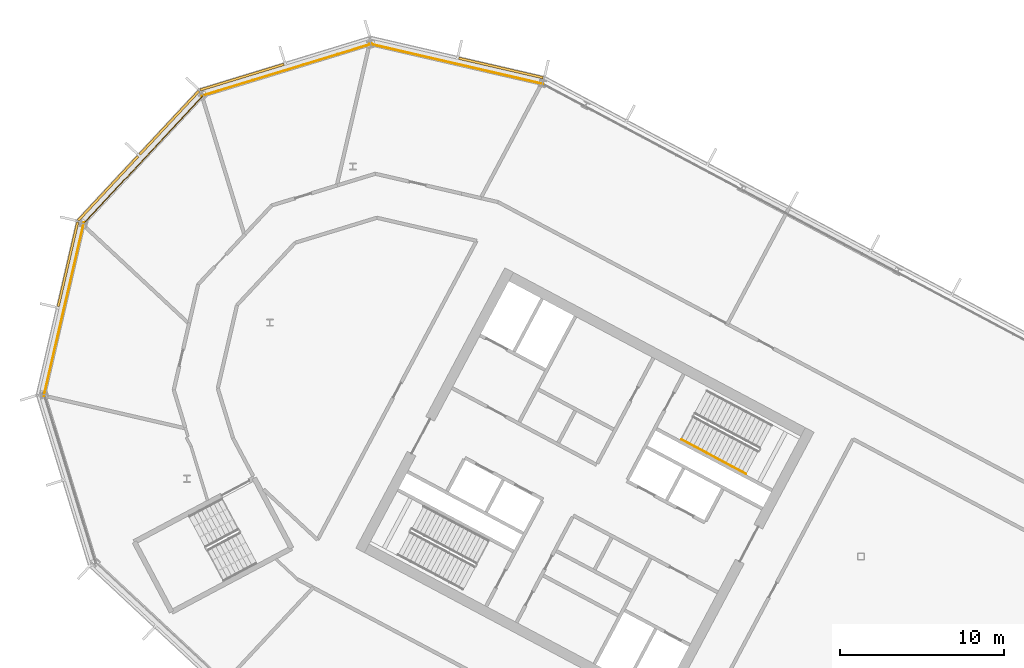
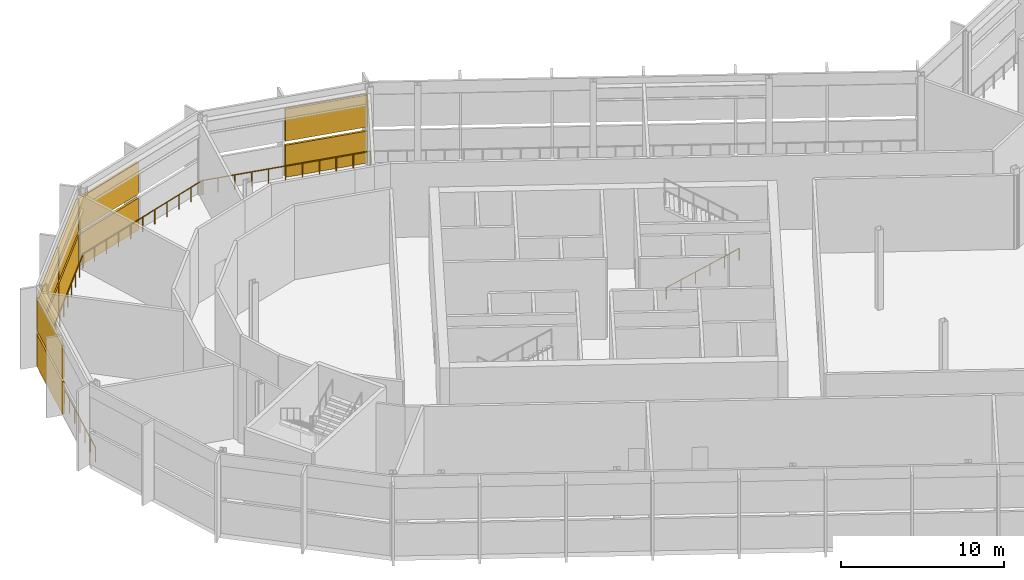
# One storey, part 26 of 33: 10 shading devices, 5 railings, 4 elements without a shape of their own.
"""IFC4 building model written with IfcOpenShell, lengths in metres."""

from ifc_helpers import new_model, si_unit, direction, frame, origin, origin_2d, place, context, subcontext, project, spatial, polyline, rectangle, outline, extrude, material, layer, layer_set, type_object, element, aggregate, save


model = new_model("IFC4")

# Units and contexts
model_context = context("Model", 3, precision=1e-05, world=origin(), true_north=direction((0.0, 1.0)))
body_context = subcontext(model_context, "Body", "Model", "MODEL_VIEW")
ifc_project = project(units=[si_unit("LENGTHUNIT", "METRE"), si_unit("AREAUNIT", "SQUARE_METRE"), si_unit("VOLUMEUNIT", "CUBIC_METRE"), si_unit("PLANEANGLEUNIT", "RADIAN"), si_unit("MASSUNIT", "GRAM", prefix="KILO")], contexts=[model_context])

# Site, building, storey
site_placement = place(None, origin())
site = spatial("IfcSite", under=ifc_project, at=site_placement, CompositionType="ELEMENT")
building_placement = place(site_placement, origin())
building = spatial("IfcBuilding", under=site, at=building_placement, Name="Cormorant Relay Tower", CompositionType="ELEMENT")
storey_placement = place(building_placement, frame((0.0, 0.0, 252.0)))
storey = spatial("IfcBuildingStorey", under=building, at=storey_placement, Name="L56", CompositionType="ELEMENT", Elevation=252.0)

# Railings
ifc_material_1 = material(Name="Stainless steel 316 guard", Category="steel")
railing_type_1 = type_object("IfcRailingType", Name="Band louvre guard 1100", PredefinedType="GUARDRAIL", material=ifc_material_1)
railing_1_placement = place(storey_placement, frame((-29.941162109375, 39.375732421875, 0.0)))
element("IfcRailing", 1, at=railing_1_placement, inside=storey, type_object=railing_type_1, Name="CW4 guard 10", PredefinedType="GUARDRAIL", context=body_context, shape_type="SweptSolid", body=[
    extrude(outline(polyline([(0.022216796875, 0.00927734375), (0.00927734375, 0.022216796875), (-0.00927734375, 0.022216796875), (-0.022216796875, 0.00927734375), (-0.022216796875, -0.00927734375), (-0.00927734375, -0.022216796875), (0.00927734375, -0.022216796875), (0.022216796875, -0.00927734375), (0.022216796875, 0.00927734375)])), frame((0.0, 0.0, 1.076171875), z_axis=(-0.974369993916, 0.22495136131, 0.0), x_axis=(-0.22495136131, -0.974369993916, 0.0)), (0.0, 0.0, 1.0), 10.870361328125),
    extrude(outline(polyline([(0.019287109375, 0.008056640625), (0.008056640625, 0.019287109375), (-0.008056640625, 0.019287109375), (-0.019287109375, 0.008056640625), (-0.019287109375, -0.008056640625), (-0.008056640625, -0.019287109375), (0.008056640625, -0.019287109375), (0.019287109375, -0.008056640625), (0.019287109375, 0.008056640625)])), origin(), (0.0, 0.0, 1.0), 1.052001953125),
    extrude(outline(polyline([(0.019287109375, 0.008056640625), (0.008056640625, 0.019287109375), (-0.008056640625, 0.019287109375), (-0.019287109375, 0.008056640625), (-0.019287109375, -0.008056640625), (-0.008056640625, -0.019287109375), (0.008056640625, -0.019287109375), (0.019287109375, -0.008056640625), (0.019287109375, 0.008056640625)])), frame((-1.05908203125, 0.24462890625, 0.0)), (0.0, 0.0, 1.0), 1.052001953125),
    extrude(outline(polyline([(0.019287109375, 0.008056640625), (0.008056640625, 0.019287109375), (-0.008056640625, 0.019287109375), (-0.019287109375, 0.008056640625), (-0.019287109375, -0.008056640625), (-0.008056640625, -0.019287109375), (0.008056640625, -0.019287109375), (0.019287109375, -0.008056640625), (0.019287109375, 0.008056640625)])), frame((-2.118408203125, 0.489013671875, 0.0)), (0.0, 0.0, 1.0), 1.052001953125),
    extrude(outline(polyline([(0.019287109375, 0.008056640625), (0.008056640625, 0.019287109375), (-0.008056640625, 0.019287109375), (-0.019287109375, 0.008056640625), (-0.019287109375, -0.008056640625), (-0.008056640625, -0.019287109375), (0.008056640625, -0.019287109375), (0.019287109375, -0.008056640625), (0.019287109375, 0.008056640625)])), frame((-3.177490234375, 0.733642578125, 0.0)), (0.0, 0.0, 1.0), 1.052001953125),
    extrude(outline(polyline([(0.019287109375, 0.008056640625), (0.008056640625, 0.019287109375), (-0.008056640625, 0.019287109375), (-0.019287109375, 0.008056640625), (-0.019287109375, -0.008056640625), (-0.008056640625, -0.019287109375), (0.008056640625, -0.019287109375), (0.019287109375, -0.008056640625), (0.019287109375, 0.008056640625)])), frame((-4.23681640625, 0.97802734375, 0.0)), (0.0, 0.0, 1.0), 1.052001953125),
    extrude(outline(polyline([(0.019287109375, 0.008056640625), (0.008056640625, 0.019287109375), (-0.008056640625, 0.019287109375), (-0.019287109375, 0.008056640625), (-0.019287109375, -0.008056640625), (-0.008056640625, -0.019287109375), (0.008056640625, -0.019287109375), (0.019287109375, -0.008056640625), (0.019287109375, 0.008056640625)])), frame((-5.2958984375, 1.22265625, 0.0)), (0.0, 0.0, 1.0), 1.052001953125),
    extrude(outline(polyline([(0.019287109375, 0.008056640625), (0.008056640625, 0.019287109375), (-0.008056640625, 0.019287109375), (-0.019287109375, 0.008056640625), (-0.019287109375, -0.008056640625), (-0.008056640625, -0.019287109375), (0.008056640625, -0.019287109375), (0.019287109375, -0.008056640625), (0.019287109375, 0.008056640625)])), frame((-6.35498046875, 1.46728515625, 0.0)), (0.0, 0.0, 1.0), 1.052001953125),
    extrude(outline(polyline([(0.019287109375, 0.008056640625), (0.008056640625, 0.019287109375), (-0.008056640625, 0.019287109375), (-0.019287109375, 0.008056640625), (-0.019287109375, -0.008056640625), (-0.008056640625, -0.019287109375), (0.008056640625, -0.019287109375), (0.019287109375, -0.008056640625), (0.019287109375, 0.008056640625)])), frame((-7.414306640625, 1.711669921875, 0.0)), (0.0, 0.0, 1.0), 1.052001953125),
    extrude(outline(polyline([(0.019287109375, 0.008056640625), (0.008056640625, 0.019287109375), (-0.008056640625, 0.019287109375), (-0.019287109375, 0.008056640625), (-0.019287109375, -0.008056640625), (-0.008056640625, -0.019287109375), (0.008056640625, -0.019287109375), (0.019287109375, -0.008056640625), (0.019287109375, 0.008056640625)])), frame((-8.473388671875, 1.956298828125, 0.0)), (0.0, 0.0, 1.0), 1.052001953125),
    extrude(outline(polyline([(0.019287109375, 0.008056640625), (0.008056640625, 0.019287109375), (-0.008056640625, 0.019287109375), (-0.019287109375, 0.008056640625), (-0.019287109375, -0.008056640625), (-0.008056640625, -0.019287109375), (0.008056640625, -0.019287109375), (0.019287109375, -0.008056640625), (0.019287109375, 0.008056640625)])), frame((-9.53271484375, 2.20068359375, 0.0)), (0.0, 0.0, 1.0), 1.052001953125),
    extrude(outline(polyline([(0.019287109375, 0.008056640625), (0.008056640625, 0.019287109375), (-0.008056640625, 0.019287109375), (-0.019287109375, 0.008056640625), (-0.019287109375, -0.008056640625), (-0.008056640625, -0.019287109375), (0.008056640625, -0.019287109375), (0.019287109375, -0.008056640625), (0.019287109375, 0.008056640625)])), frame((-10.591796875, 2.4453125, 0.0)), (0.0, 0.0, 1.0), 1.052001953125),
])
railing_2_placement = place(storey_placement, frame((-40.377685546875, 41.826416015625, 0.0)))
element("IfcRailing", 2, at=railing_2_placement, inside=storey, type_object=railing_type_1, Name="CW4 guard 11", PredefinedType="GUARDRAIL", context=body_context, shape_type="SweptSolid", body=[
    extrude(outline(polyline([(0.022216796875, 0.00927734375), (0.00927734375, 0.022216796875), (-0.00927734375, 0.022216796875), (-0.022216796875, 0.00927734375), (-0.022216796875, -0.00927734375), (-0.00927734375, -0.022216796875), (0.00927734375, -0.022216796875), (0.022216796875, -0.00927734375), (0.022216796875, 0.00927734375)])), frame((0.0, 0.0, 1.076171875), z_axis=(-0.956304833932, -0.292371449698, 0.0), x_axis=(0.292371449698, -0.956304833932, 0.0)), (0.0, 0.0, 1.0), 10.87060546875),
    extrude(outline(polyline([(0.019287109375, 0.008056640625), (0.008056640625, 0.019287109375), (-0.008056640625, 0.019287109375), (-0.019287109375, 0.008056640625), (-0.019287109375, -0.008056640625), (-0.008056640625, -0.019287109375), (0.008056640625, -0.019287109375), (0.019287109375, -0.008056640625), (0.019287109375, 0.008056640625)])), origin(), (0.0, 0.0, 1.0), 1.052001953125),
    extrude(outline(polyline([(0.019287109375, 0.008056640625), (0.008056640625, 0.019287109375), (-0.008056640625, 0.019287109375), (-0.019287109375, 0.008056640625), (-0.019287109375, -0.008056640625), (-0.008056640625, -0.019287109375), (0.008056640625, -0.019287109375), (0.019287109375, -0.008056640625), (0.019287109375, 0.008056640625)])), frame((-1.03955078125, -0.31787109375, 0.0)), (0.0, 0.0, 1.0), 1.052001953125),
    extrude(outline(polyline([(0.019287109375, 0.008056640625), (0.008056640625, 0.019287109375), (-0.008056640625, 0.019287109375), (-0.019287109375, 0.008056640625), (-0.019287109375, -0.008056640625), (-0.008056640625, -0.019287109375), (0.008056640625, -0.019287109375), (0.019287109375, -0.008056640625), (0.019287109375, 0.008056640625)])), frame((-2.0791015625, -0.6357421875, 0.0)), (0.0, 0.0, 1.0), 1.052001953125),
    extrude(outline(polyline([(0.019287109375, 0.008056640625), (0.008056640625, 0.019287109375), (-0.008056640625, 0.019287109375), (-0.019287109375, 0.008056640625), (-0.019287109375, -0.008056640625), (-0.008056640625, -0.019287109375), (0.008056640625, -0.019287109375), (0.019287109375, -0.008056640625), (0.019287109375, 0.008056640625)])), frame((-3.11865234375, -0.953369140625, 0.0)), (0.0, 0.0, 1.0), 1.052001953125),
    extrude(outline(polyline([(0.019287109375, 0.008056640625), (0.008056640625, 0.019287109375), (-0.008056640625, 0.019287109375), (-0.019287109375, 0.008056640625), (-0.019287109375, -0.008056640625), (-0.008056640625, -0.019287109375), (0.008056640625, -0.019287109375), (0.019287109375, -0.008056640625), (0.019287109375, 0.008056640625)])), frame((-4.158203125, -1.271240234375, 0.0)), (0.0, 0.0, 1.0), 1.052001953125),
    extrude(outline(polyline([(0.019287109375, 0.008056640625), (0.008056640625, 0.019287109375), (-0.008056640625, 0.019287109375), (-0.019287109375, 0.008056640625), (-0.019287109375, -0.008056640625), (-0.008056640625, -0.019287109375), (0.008056640625, -0.019287109375), (0.019287109375, -0.008056640625), (0.019287109375, 0.008056640625)])), frame((-5.19775390625, -1.589111328125, 0.0)), (0.0, 0.0, 1.0), 1.052001953125),
    extrude(outline(polyline([(0.019287109375, 0.008056640625), (0.008056640625, 0.019287109375), (-0.008056640625, 0.019287109375), (-0.019287109375, 0.008056640625), (-0.019287109375, -0.008056640625), (-0.008056640625, -0.019287109375), (0.008056640625, -0.019287109375), (0.019287109375, -0.008056640625), (0.019287109375, 0.008056640625)])), frame((-6.2373046875, -1.906982421875, 0.0)), (0.0, 0.0, 1.0), 1.052001953125),
    extrude(outline(polyline([(0.019287109375, 0.008056640625), (0.008056640625, 0.019287109375), (-0.008056640625, 0.019287109375), (-0.019287109375, 0.008056640625), (-0.019287109375, -0.008056640625), (-0.008056640625, -0.019287109375), (0.008056640625, -0.019287109375), (0.019287109375, -0.008056640625), (0.019287109375, 0.008056640625)])), frame((-7.27685546875, -2.224853515625, 0.0)), (0.0, 0.0, 1.0), 1.052001953125),
    extrude(outline(polyline([(0.019287109375, 0.008056640625), (0.008056640625, 0.019287109375), (-0.008056640625, 0.019287109375), (-0.019287109375, 0.008056640625), (-0.019287109375, -0.008056640625), (-0.008056640625, -0.019287109375), (0.008056640625, -0.019287109375), (0.019287109375, -0.008056640625), (0.019287109375, 0.008056640625)])), frame((-8.31640625, -2.54248046875, 0.0)), (0.0, 0.0, 1.0), 1.052001953125),
    extrude(outline(polyline([(0.019287109375, 0.008056640625), (0.008056640625, 0.019287109375), (-0.008056640625, 0.019287109375), (-0.019287109375, 0.008056640625), (-0.019287109375, -0.008056640625), (-0.008056640625, -0.019287109375), (0.008056640625, -0.019287109375), (0.019287109375, -0.008056640625), (0.019287109375, 0.008056640625)])), frame((-9.35595703125, -2.8603515625, 0.0)), (0.0, 0.0, 1.0), 1.052001953125),
    extrude(outline(polyline([(0.019287109375, 0.008056640625), (0.008056640625, 0.019287109375), (-0.008056640625, 0.019287109375), (-0.019287109375, 0.008056640625), (-0.019287109375, -0.008056640625), (-0.008056640625, -0.019287109375), (0.008056640625, -0.019287109375), (0.019287109375, -0.008056640625), (0.019287109375, 0.008056640625)])), frame((-10.3955078125, -3.17822265625, 0.0)), (0.0, 0.0, 1.0), 1.052001953125),
])
railing_3_placement = place(storey_placement, frame((-50.6416015625, 38.730712890625, 0.0)))
element("IfcRailing", 3, at=railing_3_placement, inside=storey, type_object=railing_type_1, Name="CW4 guard 12", PredefinedType="GUARDRAIL", context=body_context, shape_type="SweptSolid", body=[
    extrude(outline(polyline([(0.022216796875, 0.00927734375), (0.00927734375, 0.022216796875), (-0.00927734375, 0.022216796875), (-0.022216796875, 0.00927734375), (-0.022216796875, -0.00927734375), (-0.00927734375, -0.022216796875), (0.00927734375, -0.022216796875), (0.022216796875, -0.00927734375), (0.022216796875, 0.00927734375)])), frame((0.0, 0.0, 1.076171875), z_axis=(-0.681993299437, -0.731358420696, 0.0), x_axis=(0.731358420696, -0.681993299437, 0.0)), (0.0, 0.0, 1.0), 10.870361328125),
    extrude(outline(polyline([(0.019287109375, 0.008056640625), (0.008056640625, 0.019287109375), (-0.008056640625, 0.019287109375), (-0.019287109375, 0.008056640625), (-0.019287109375, -0.008056640625), (-0.008056640625, -0.019287109375), (0.008056640625, -0.019287109375), (0.019287109375, -0.008056640625), (0.019287109375, 0.008056640625)])), origin(), (0.0, 0.0, 1.0), 1.052001953125),
    extrude(outline(polyline([(0.019287109375, 0.008056640625), (0.008056640625, 0.019287109375), (-0.008056640625, 0.019287109375), (-0.019287109375, 0.008056640625), (-0.019287109375, -0.008056640625), (-0.008056640625, -0.019287109375), (0.008056640625, -0.019287109375), (0.019287109375, -0.008056640625), (0.019287109375, 0.008056640625)])), frame((-0.741455078125, -0.794921875, 0.0)), (0.0, 0.0, 1.0), 1.052001953125),
    extrude(outline(polyline([(0.019287109375, 0.008056640625), (0.008056640625, 0.019287109375), (-0.008056640625, 0.019287109375), (-0.019287109375, 0.008056640625), (-0.019287109375, -0.008056640625), (-0.008056640625, -0.019287109375), (0.008056640625, -0.019287109375), (0.019287109375, -0.008056640625), (0.019287109375, 0.008056640625)])), frame((-1.482666015625, -1.590087890625, 0.0)), (0.0, 0.0, 1.0), 1.052001953125),
    extrude(outline(polyline([(0.019287109375, 0.008056640625), (0.008056640625, 0.019287109375), (-0.008056640625, 0.019287109375), (-0.019287109375, 0.008056640625), (-0.019287109375, -0.008056640625), (-0.008056640625, -0.019287109375), (0.008056640625, -0.019287109375), (0.019287109375, -0.008056640625), (0.019287109375, 0.008056640625)])), frame((-2.22412109375, -2.385009765625, 0.0)), (0.0, 0.0, 1.0), 1.052001953125),
    extrude(outline(polyline([(0.019287109375, 0.008056640625), (0.008056640625, 0.019287109375), (-0.008056640625, 0.019287109375), (-0.019287109375, 0.008056640625), (-0.019287109375, -0.008056640625), (-0.008056640625, -0.019287109375), (0.008056640625, -0.019287109375), (0.019287109375, -0.008056640625), (0.019287109375, 0.008056640625)])), frame((-2.96533203125, -3.18017578125, 0.0)), (0.0, 0.0, 1.0), 1.052001953125),
    extrude(outline(polyline([(0.019287109375, 0.008056640625), (0.008056640625, 0.019287109375), (-0.008056640625, 0.019287109375), (-0.019287109375, 0.008056640625), (-0.019287109375, -0.008056640625), (-0.008056640625, -0.019287109375), (0.008056640625, -0.019287109375), (0.019287109375, -0.008056640625), (0.019287109375, 0.008056640625)])), frame((-3.706787109375, -3.97509765625, 0.0)), (0.0, 0.0, 1.0), 1.052001953125),
    extrude(outline(polyline([(0.019287109375, 0.008056640625), (0.008056640625, 0.019287109375), (-0.008056640625, 0.019287109375), (-0.019287109375, 0.008056640625), (-0.019287109375, -0.008056640625), (-0.008056640625, -0.019287109375), (0.008056640625, -0.019287109375), (0.019287109375, -0.008056640625), (0.019287109375, 0.008056640625)])), frame((-4.4482421875, -4.77001953125, 0.0)), (0.0, 0.0, 1.0), 1.052001953125),
    extrude(outline(polyline([(0.019287109375, 0.008056640625), (0.008056640625, 0.019287109375), (-0.008056640625, 0.019287109375), (-0.019287109375, 0.008056640625), (-0.019287109375, -0.008056640625), (-0.008056640625, -0.019287109375), (0.008056640625, -0.019287109375), (0.019287109375, -0.008056640625), (0.019287109375, 0.008056640625)])), frame((-5.189453125, -5.565185546875, 0.0)), (0.0, 0.0, 1.0), 1.052001953125),
    extrude(outline(polyline([(0.019287109375, 0.008056640625), (0.008056640625, 0.019287109375), (-0.008056640625, 0.019287109375), (-0.019287109375, 0.008056640625), (-0.019287109375, -0.008056640625), (-0.008056640625, -0.019287109375), (0.008056640625, -0.019287109375), (0.019287109375, -0.008056640625), (0.019287109375, 0.008056640625)])), frame((-5.930908203125, -6.360107421875, 0.0)), (0.0, 0.0, 1.0), 1.052001953125),
    extrude(outline(polyline([(0.019287109375, 0.008056640625), (0.008056640625, 0.019287109375), (-0.008056640625, 0.019287109375), (-0.019287109375, 0.008056640625), (-0.019287109375, -0.008056640625), (-0.008056640625, -0.019287109375), (0.008056640625, -0.019287109375), (0.019287109375, -0.008056640625), (0.019287109375, 0.008056640625)])), frame((-6.672119140625, -7.1552734375, 0.0)), (0.0, 0.0, 1.0), 1.052001953125),
    extrude(outline(polyline([(0.019287109375, 0.008056640625), (0.008056640625, 0.019287109375), (-0.008056640625, 0.019287109375), (-0.019287109375, 0.008056640625), (-0.019287109375, -0.008056640625), (-0.008056640625, -0.019287109375), (0.008056640625, -0.019287109375), (0.019287109375, -0.008056640625), (0.019287109375, 0.008056640625)])), frame((-7.41357421875, -7.9501953125, 0.0)), (0.0, 0.0, 1.0), 1.052001953125),
])
railing_4_placement = place(storey_placement, frame((-57.982177734375, 30.91748046875, 0.0)))
element("IfcRailing", 4, at=railing_4_placement, inside=storey, type_object=railing_type_1, Name="CW4 guard 13", PredefinedType="GUARDRAIL", context=body_context, shape_type="SweptSolid", body=[
    extrude(outline(polyline([(0.022216796875, 0.00927734375), (0.00927734375, 0.022216796875), (-0.00927734375, 0.022216796875), (-0.022216796875, 0.00927734375), (-0.022216796875, -0.00927734375), (-0.00927734375, -0.022216796875), (0.00927734375, -0.022216796875), (0.022216796875, -0.00927734375), (0.022216796875, 0.00927734375)])), frame((0.0, 0.0, 1.076171875), z_axis=(-0.22495136131, -0.974369993916, 0.0), x_axis=(0.974369993916, -0.22495136131, 0.0)), (0.0, 0.0, 1.0), 10.870361328125),
    extrude(outline(polyline([(0.019287109375, 0.008056640625), (0.008056640625, 0.019287109375), (-0.008056640625, 0.019287109375), (-0.019287109375, 0.008056640625), (-0.019287109375, -0.008056640625), (-0.008056640625, -0.019287109375), (0.008056640625, -0.019287109375), (0.019287109375, -0.008056640625), (0.019287109375, 0.008056640625)])), origin(), (0.0, 0.0, 1.0), 1.052001953125),
    extrude(outline(polyline([(0.019287109375, 0.008056640625), (0.008056640625, 0.019287109375), (-0.008056640625, 0.019287109375), (-0.019287109375, 0.008056640625), (-0.019287109375, -0.008056640625), (-0.008056640625, -0.019287109375), (0.008056640625, -0.019287109375), (0.019287109375, -0.008056640625), (0.019287109375, 0.008056640625)])), frame((-0.24462890625, -1.05908203125, 0.0)), (0.0, 0.0, 1.0), 1.052001953125),
    extrude(outline(polyline([(0.019287109375, 0.008056640625), (0.008056640625, 0.019287109375), (-0.008056640625, 0.019287109375), (-0.019287109375, 0.008056640625), (-0.019287109375, -0.008056640625), (-0.008056640625, -0.019287109375), (0.008056640625, -0.019287109375), (0.019287109375, -0.008056640625), (0.019287109375, 0.008056640625)])), frame((-0.489013671875, -2.118408203125, 0.0)), (0.0, 0.0, 1.0), 1.052001953125),
    extrude(outline(polyline([(0.019287109375, 0.008056640625), (0.008056640625, 0.019287109375), (-0.008056640625, 0.019287109375), (-0.019287109375, 0.008056640625), (-0.019287109375, -0.008056640625), (-0.008056640625, -0.019287109375), (0.008056640625, -0.019287109375), (0.019287109375, -0.008056640625), (0.019287109375, 0.008056640625)])), frame((-0.733642578125, -3.177490234375, 0.0)), (0.0, 0.0, 1.0), 1.052001953125),
    extrude(outline(polyline([(0.019287109375, 0.008056640625), (0.008056640625, 0.019287109375), (-0.008056640625, 0.019287109375), (-0.019287109375, 0.008056640625), (-0.019287109375, -0.008056640625), (-0.008056640625, -0.019287109375), (0.008056640625, -0.019287109375), (0.019287109375, -0.008056640625), (0.019287109375, 0.008056640625)])), frame((-0.97802734375, -4.23681640625, 0.0)), (0.0, 0.0, 1.0), 1.052001953125),
    extrude(outline(polyline([(0.019287109375, 0.008056640625), (0.008056640625, 0.019287109375), (-0.008056640625, 0.019287109375), (-0.019287109375, 0.008056640625), (-0.019287109375, -0.008056640625), (-0.008056640625, -0.019287109375), (0.008056640625, -0.019287109375), (0.019287109375, -0.008056640625), (0.019287109375, 0.008056640625)])), frame((-1.22265625, -5.2958984375, 0.0)), (0.0, 0.0, 1.0), 1.052001953125),
    extrude(outline(polyline([(0.019287109375, 0.008056640625), (0.008056640625, 0.019287109375), (-0.008056640625, 0.019287109375), (-0.019287109375, 0.008056640625), (-0.019287109375, -0.008056640625), (-0.008056640625, -0.019287109375), (0.008056640625, -0.019287109375), (0.019287109375, -0.008056640625), (0.019287109375, 0.008056640625)])), frame((-1.46728515625, -6.35498046875, 0.0)), (0.0, 0.0, 1.0), 1.052001953125),
    extrude(outline(polyline([(0.019287109375, 0.008056640625), (0.008056640625, 0.019287109375), (-0.008056640625, 0.019287109375), (-0.019287109375, 0.008056640625), (-0.019287109375, -0.008056640625), (-0.008056640625, -0.019287109375), (0.008056640625, -0.019287109375), (0.019287109375, -0.008056640625), (0.019287109375, 0.008056640625)])), frame((-1.711669921875, -7.414306640625, 0.0)), (0.0, 0.0, 1.0), 1.052001953125),
    extrude(outline(polyline([(0.019287109375, 0.008056640625), (0.008056640625, 0.019287109375), (-0.008056640625, 0.019287109375), (-0.019287109375, 0.008056640625), (-0.019287109375, -0.008056640625), (-0.008056640625, -0.019287109375), (0.008056640625, -0.019287109375), (0.019287109375, -0.008056640625), (0.019287109375, 0.008056640625)])), frame((-1.956298828125, -8.473388671875, 0.0)), (0.0, 0.0, 1.0), 1.052001953125),
    extrude(outline(polyline([(0.019287109375, 0.008056640625), (0.008056640625, 0.019287109375), (-0.008056640625, 0.019287109375), (-0.019287109375, 0.008056640625), (-0.019287109375, -0.008056640625), (-0.008056640625, -0.019287109375), (0.008056640625, -0.019287109375), (0.019287109375, -0.008056640625), (0.019287109375, 0.008056640625)])), frame((-2.20068359375, -9.53271484375, 0.0)), (0.0, 0.0, 1.0), 1.052001953125),
    extrude(outline(polyline([(0.019287109375, 0.008056640625), (0.008056640625, 0.019287109375), (-0.008056640625, 0.019287109375), (-0.019287109375, 0.008056640625), (-0.019287109375, -0.008056640625), (-0.008056640625, -0.019287109375), (0.008056640625, -0.019287109375), (0.019287109375, -0.008056640625), (0.019287109375, 0.008056640625)])), frame((-2.4453125, -10.591796875, 0.0)), (0.0, 0.0, 1.0), 1.052001953125),
])

# Curtain wall, shading devices
ifc_material_2 = material(Name="Aluminium 6063-T6 anodised bronze", Category="aluminium")
ifc_layer = layer(ifc_material_2, 0.199951171875)
ifc_layer_set = layer_set([ifc_layer], Name="CW4 band louvre wall")
curtain_wall_type = type_object("IfcCurtainWallType", Name="CW4 band louvre wall", PredefinedType="NOTDEFINED", material=ifc_layer_set)
curtain_wall_1_placement = place(storey_placement, origin())
curtain_wall_1 = element("IfcCurtainWall", 5, at=curtain_wall_1_placement, inside=storey, type_object=curtain_wall_type, Name="CW4 curtain wall 10", PredefinedType="NOTDEFINED")
ifc_material_3 = material(Name="Aluminium 6063-T6 anodised bronze louvre", Category="aluminium")
shading_device_type = type_object("IfcShadingDeviceType", Name="CW4 bronze louvre bank 150 x 2400", PredefinedType="USERDEFINED", material=ifc_material_3)
shading_device_1_placement = place(storey_placement, frame((-32.5048828125, 40.3525390625, 2.699951171875), z_axis=(0.0, 0.0, 1.0), x_axis=(-0.974370064785, 0.224951054344, 0.0)))
shading_device_1 = element("IfcShadingDevice", 6, at=shading_device_1_placement, type_object=shading_device_type, Name="CW4 louvre bank U10.1", ObjectType="LOUVRE", PredefinedType="USERDEFINED", context=body_context, shape_type="SweptSolid", body=[
    extrude(rectangle(XDim=5.28515625, YDim=0.14990234375, at=origin_2d()), origin(), (0.0, 0.0, 1.0), 2.39990234375),
])
shading_device_2_placement = place(storey_placement, frame((-32.5048828125, 40.3525390625, 0.0), z_axis=(0.0, 0.0, 1.0), x_axis=(-0.974370064785, 0.224951054344, 0.0)))
shading_device_2 = element("IfcShadingDevice", 7, at=shading_device_2_placement, type_object=shading_device_type, Name="CW4 louvre bank D10.1", ObjectType="LOUVRE", PredefinedType="USERDEFINED", context=body_context, shape_type="SweptSolid", body=[
    extrude(rectangle(XDim=5.28515625, YDim=0.14990234375, at=origin_2d()), origin(), (0.0, 0.0, 1.0), 2.39990234375),
])
aggregate(curtain_wall_1, [shading_device_1, shading_device_2])

curtain_wall_2_placement = place(storey_placement, origin())
curtain_wall_2 = element("IfcCurtainWall", 8, at=curtain_wall_2_placement, inside=storey, type_object=curtain_wall_type, Name="CW4 curtain wall 11", PredefinedType="NOTDEFINED")
shading_device_3_placement = place(storey_placement, frame((-48.31982421875, 39.79052734375, 2.699951171875), z_axis=(0.0, 0.0, 1.0), x_axis=(-0.956304755963, -0.292371704723, 0.0)))
shading_device_3 = element("IfcShadingDevice", 9, at=shading_device_3_placement, type_object=shading_device_type, Name="CW4 louvre bank U11.2", ObjectType="LOUVRE", PredefinedType="USERDEFINED", context=body_context, shape_type="SweptSolid", body=[
    extrude(rectangle(XDim=5.360107421875, YDim=0.14990234375, at=origin_2d()), origin(), (0.0, 0.0, 1.0), 2.39990234375),
])
shading_device_4_placement = place(storey_placement, frame((-48.31982421875, 39.79052734375, 0.0), z_axis=(0.0, 0.0, 1.0), x_axis=(-0.956304755963, -0.292371704723, 0.0)))
shading_device_4 = element("IfcShadingDevice", 10, at=shading_device_4_placement, type_object=shading_device_type, Name="CW4 louvre bank D11.2", ObjectType="LOUVRE", PredefinedType="USERDEFINED", context=body_context, shape_type="SweptSolid", body=[
    extrude(rectangle(XDim=5.360107421875, YDim=0.14990234375, at=origin_2d()), origin(), (0.0, 0.0, 1.0), 2.39990234375),
])
aggregate(curtain_wall_2, [shading_device_3, shading_device_4])

curtain_wall_3_placement = place(storey_placement, origin())
curtain_wall_3 = element("IfcCurtainWall", 11, at=curtain_wall_3_placement, inside=storey, type_object=curtain_wall_type, Name="CW4 curtain wall 12", PredefinedType="NOTDEFINED")
shading_device_5_placement = place(storey_placement, frame((-52.769287109375, 36.998779296875, 2.699951171875), z_axis=(0.0, 0.0, 1.0), x_axis=(-0.681998360062, -0.731353701619, 0.0)))
shading_device_5 = element("IfcShadingDevice", 12, at=shading_device_5_placement, type_object=shading_device_type, Name="CW4 louvre bank U12.1", ObjectType="LOUVRE", PredefinedType="USERDEFINED", context=body_context, shape_type="SweptSolid", body=[
    extrude(rectangle(XDim=5.28515625, YDim=0.14990234375, at=origin_2d()), origin(), (0.0, 0.0, 1.0), 2.39990234375),
])
shading_device_6_placement = place(storey_placement, frame((-52.769287109375, 36.998779296875, 0.0), z_axis=(0.0, 0.0, 1.0), x_axis=(-0.681998360062, -0.731353701619, 0.0)))
shading_device_6 = element("IfcShadingDevice", 13, at=shading_device_6_placement, type_object=shading_device_type, Name="CW4 louvre bank D12.1", ObjectType="LOUVRE", PredefinedType="USERDEFINED", context=body_context, shape_type="SweptSolid", body=[
    extrude(rectangle(XDim=5.28515625, YDim=0.14990234375, at=origin_2d()), origin(), (0.0, 0.0, 1.0), 2.39990234375),
])
shading_device_7_placement = place(storey_placement, frame((-56.501708984375, 32.996337890625, 2.699951171875), z_axis=(0.0, 0.0, 1.0), x_axis=(-0.681998360062, -0.731353701619, 0.0)))
shading_device_7 = element("IfcShadingDevice", 14, at=shading_device_7_placement, type_object=shading_device_type, Name="CW4 louvre bank U12.2", ObjectType="LOUVRE", PredefinedType="USERDEFINED", context=body_context, shape_type="SweptSolid", body=[
    extrude(rectangle(XDim=5.360107421875, YDim=0.14990234375, at=origin_2d()), origin(), (0.0, 0.0, 1.0), 2.39990234375),
])
shading_device_8_placement = place(storey_placement, frame((-56.501708984375, 32.996337890625, 0.0), z_axis=(0.0, 0.0, 1.0), x_axis=(-0.681998360062, -0.731353701619, 0.0)))
shading_device_8 = element("IfcShadingDevice", 15, at=shading_device_8_placement, type_object=shading_device_type, Name="CW4 louvre bank D12.2", ObjectType="LOUVRE", PredefinedType="USERDEFINED", context=body_context, shape_type="SweptSolid", body=[
    extrude(rectangle(XDim=5.360107421875, YDim=0.14990234375, at=origin_2d()), origin(), (0.0, 0.0, 1.0), 2.39990234375),
])
aggregate(curtain_wall_3, [shading_device_5, shading_device_6, shading_device_7, shading_device_8])

curtain_wall_4_placement = place(storey_placement, origin())
curtain_wall_4 = element("IfcCurtainWall", 16, at=curtain_wall_4_placement, inside=storey, type_object=curtain_wall_type, Name="CW4 curtain wall 13", PredefinedType="NOTDEFINED")
shading_device_9_placement = place(storey_placement, frame((-58.958984375, 28.35400390625, 2.699951171875), z_axis=(0.0, 0.0, 1.0), x_axis=(-0.224951054344, -0.974370064785, 0.0)))
shading_device_9 = element("IfcShadingDevice", 17, at=shading_device_9_placement, type_object=shading_device_type, Name="CW4 louvre bank U13.1", ObjectType="LOUVRE", PredefinedType="USERDEFINED", context=body_context, shape_type="SweptSolid", body=[
    extrude(rectangle(XDim=5.28515625, YDim=0.14990234375, at=origin_2d()), origin(), (0.0, 0.0, 1.0), 2.39990234375),
])
shading_device_10_placement = place(storey_placement, frame((-58.958984375, 28.35400390625, 0.0), z_axis=(0.0, 0.0, 1.0), x_axis=(-0.224951054344, -0.974370064785, 0.0)))
shading_device_10 = element("IfcShadingDevice", 18, at=shading_device_10_placement, type_object=shading_device_type, Name="CW4 louvre bank D13.1", ObjectType="LOUVRE", PredefinedType="USERDEFINED", context=body_context, shape_type="SweptSolid", body=[
    extrude(rectangle(XDim=5.28515625, YDim=0.14990234375, at=origin_2d()), origin(), (0.0, 0.0, 1.0), 2.39990234375),
])
aggregate(curtain_wall_4, [shading_device_9, shading_device_10])

# Railing
ifc_material_4 = material(Name="Steel ASTM A572 Grade 50 (Fy 345 MPa)", Category="steel")
railing_type_2 = type_object("IfcRailingType", Name="Stair handrail 900", PredefinedType="HANDRAIL", material=ifc_material_4)
railing_5_placement = place(storey_placement, frame((-21.478271484375, 17.6494140625, 0.176513671875)))
element("IfcRailing", 19, at=railing_5_placement, inside=storey, type_object=railing_type_2, Name="L56 A1 stair handrail 1", PredefinedType="HANDRAIL", context=body_context, shape_type="SweptSolid", body=[
    extrude(outline(polyline([(0.022216796875, 0.00927734375), (0.00927734375, 0.022216796875), (-0.00927734375, 0.022216796875), (-0.022216796875, 0.00927734375), (-0.022216796875, -0.00927734375), (-0.00927734375, -0.022216796875), (0.00927734375, -0.022216796875), (0.022216796875, -0.00927734375), (0.022216796875, 0.00927734375)])), frame((0.0, 0.0, 0.8759765625), z_axis=(0.746967351038, -0.397180825157, 0.533185866853), x_axis=(0.469481920044, 0.882942085729, 0.0)), (0.0, 0.0, 1.0), 5.29541015625),
    extrude(outline(polyline([(0.019287109375, 0.008056640625), (0.008056640625, 0.019287109375), (-0.008056640625, 0.019287109375), (-0.019287109375, 0.008056640625), (-0.019287109375, -0.008056640625), (-0.008056640625, -0.019287109375), (0.008056640625, -0.019287109375), (0.019287109375, -0.008056640625), (0.019287109375, 0.008056640625)])), origin(), (0.0, 0.0, 1.0), 0.851806640625),
    extrude(outline(polyline([(0.019287109375, 0.008056640625), (0.008056640625, 0.019287109375), (-0.008056640625, 0.019287109375), (-0.019287109375, 0.008056640625), (-0.019287109375, -0.008056640625), (-0.008056640625, -0.019287109375), (0.008056640625, -0.019287109375), (0.019287109375, -0.008056640625), (0.019287109375, 0.008056640625)])), frame((0.791015625, -0.420654296875, 0.564697265625)), (0.0, 0.0, 1.0), 0.851806640625),
    extrude(outline(polyline([(0.019287109375, 0.008056640625), (0.008056640625, 0.019287109375), (-0.008056640625, 0.019287109375), (-0.019287109375, 0.008056640625), (-0.019287109375, -0.008056640625), (-0.008056640625, -0.019287109375), (0.008056640625, -0.019287109375), (0.019287109375, -0.008056640625), (0.019287109375, 0.008056640625)])), frame((1.582275390625, -0.84130859375, 1.12939453125)), (0.0, 0.0, 1.0), 0.851806640625),
    extrude(outline(polyline([(0.019287109375, 0.008056640625), (0.008056640625, 0.019287109375), (-0.008056640625, 0.019287109375), (-0.019287109375, 0.008056640625), (-0.019287109375, -0.008056640625), (-0.008056640625, -0.019287109375), (0.008056640625, -0.019287109375), (0.019287109375, -0.008056640625), (0.019287109375, 0.008056640625)])), frame((2.373291015625, -1.261962890625, 1.694091796875)), (0.0, 0.0, 1.0), 0.851806640625),
    extrude(outline(polyline([(0.019287109375, 0.008056640625), (0.008056640625, 0.019287109375), (-0.008056640625, 0.019287109375), (-0.019287109375, 0.008056640625), (-0.019287109375, -0.008056640625), (-0.008056640625, -0.019287109375), (0.008056640625, -0.019287109375), (0.019287109375, -0.008056640625), (0.019287109375, 0.008056640625)])), frame((3.16455078125, -1.6826171875, 2.2587890625)), (0.0, 0.0, 1.0), 0.851806640625),
    extrude(outline(polyline([(0.019287109375, 0.008056640625), (0.008056640625, 0.019287109375), (-0.008056640625, 0.019287109375), (-0.019287109375, 0.008056640625), (-0.019287109375, -0.008056640625), (-0.008056640625, -0.019287109375), (0.008056640625, -0.019287109375), (0.019287109375, -0.008056640625), (0.019287109375, 0.008056640625)])), frame((3.95556640625, -2.103271484375, 2.823486328125)), (0.0, 0.0, 1.0), 0.851806640625),
])

save(model, "model.ifc")
